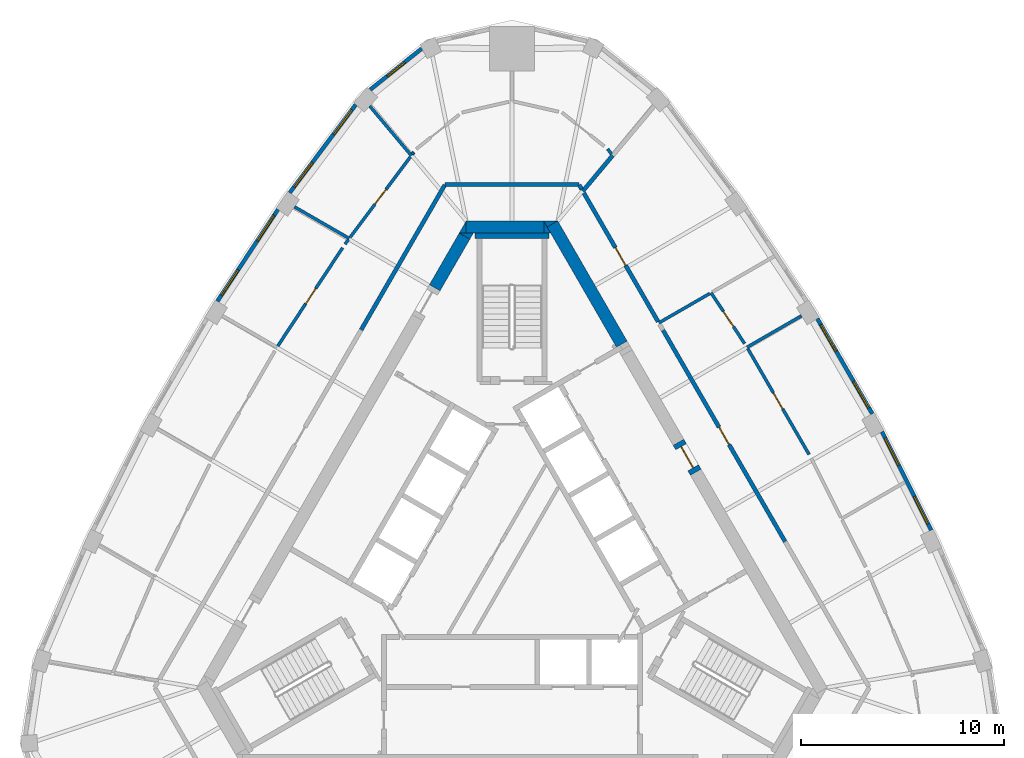
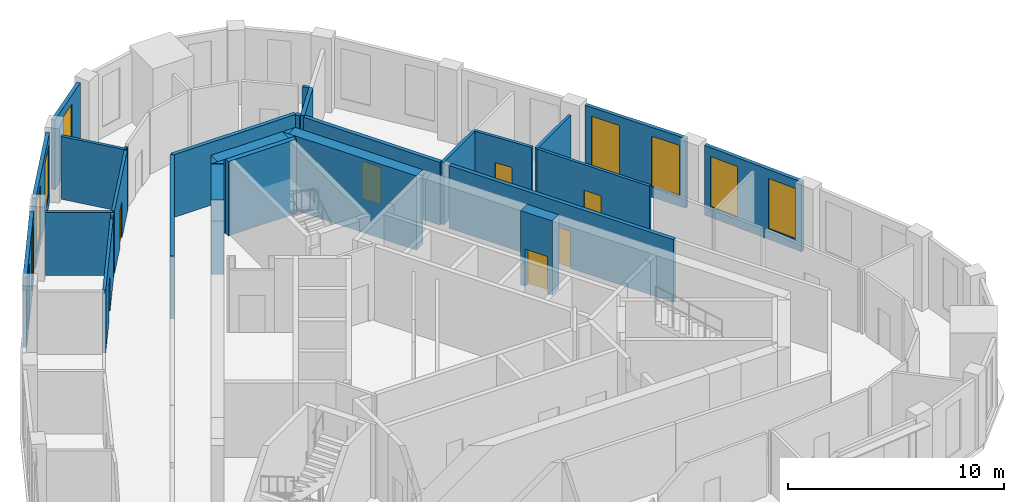
# One storey, part 8 of 10: 31 walls, 9 windows, 7 doors, 16 openings.
"""IFC4 building model written with IfcOpenShell, lengths in metres."""

from ifc_helpers import new_model, si_unit, direction, frame, frame_2d, origin, place, context, subcontext, project, spatial, polyline, rectangle, outline, extrude, material, layer, layer_set, type_object, element, fill, save


model = new_model("IFC4")

# Units and contexts
model_context = context("Model", 3, precision=1e-05, world=origin(), true_north=direction((0.0, 1.0)))
body_context = subcontext(model_context, "Body", "Model", "MODEL_VIEW")
ifc_project = project(units=[si_unit("LENGTHUNIT", "METRE"), si_unit("AREAUNIT", "SQUARE_METRE"), si_unit("VOLUMEUNIT", "CUBIC_METRE"), si_unit("PLANEANGLEUNIT", "RADIAN"), si_unit("MASSUNIT", "GRAM", prefix="KILO")], contexts=[model_context])

# Site, building, storey
site_placement = place(None, origin())
site = spatial("IfcSite", under=ifc_project, at=site_placement, CompositionType="ELEMENT")
building_placement = place(site_placement, origin())
building = spatial("IfcBuilding", under=site, at=building_placement, Name="Mestral Congress Tower", CompositionType="ELEMENT")
storey_placement = place(building_placement, frame((0.0, 0.0, 296.39990234375)))
storey = spatial("IfcBuildingStorey", under=building, at=storey_placement, Name="L69", CompositionType="ELEMENT", Elevation=296.39990234375)

# Walls
ifc_material_1 = material(Name="Concrete C60/75", Category="concrete")
ifc_layer_1 = layer(ifc_material_1, 0.60009765625)
ifc_layer_set_1 = layer_set([ifc_layer_1], Name="Concrete C60/75")
wall_type_1 = type_object("IfcWallType", Name="Core wall RC 600", PredefinedType="SOLIDWALL", material=ifc_layer_set_1)
wall_1_placement = place(storey_placement, frame((1.98876953125, 16.45556640625, 0.0), z_axis=(0.0, 0.0, 1.0), x_axis=(0.499973159588, -0.866040899549, 0.0)))
element("IfcWall", 1, at=wall_1_placement, inside=storey, type_object=wall_type_1, Name="L69 core wall", PredefinedType="SOLIDWALL", context=body_context, shape_type="SweptSolid", body=[
    extrude(rectangle(XDim=6.828125, YDim=0.60009765625, at=frame_2d((3.4140625, 0.0))), origin(), (0.0, 0.0, 1.0), 4.2001953125),
])
placement = place(storey_placement, origin())
element("IfcWall", 2, at=placement, inside=storey, type_object=wall_type_1, Name="L69 core wall", PredefinedType="SOLIDWALL", context=body_context, shape_type="SweptSolid", body=[
    extrude(outline(polyline([(1.558837890625, 16.60009765625), (2.23486328125, 16.60009765625), (1.727783203125, 16.307373046875), (1.558837890625, 16.60009765625)])), origin(), (0.0, 0.0, 1.0), 4.2001953125),
])
wall_3_placement = place(storey_placement, frame((-2.258056640625, 16.300048828125, 0.0), z_axis=(0.0, 0.0, 1.0), x_axis=(1.0, 0.0, 0.0)))
element("IfcWall", 3, at=wall_3_placement, inside=storey, type_object=wall_type_1, Name="L69 core wall", PredefinedType="SOLIDWALL", context=body_context, shape_type="SweptSolid", body=[
    extrude(rectangle(XDim=3.8232421875, YDim=0.60009765625, at=frame_2d((1.91162109375, 0.0))), origin(), (0.0, 0.0, 1.0), 4.2001953125),
])
element("IfcWall", 4, at=placement, inside=storey, type_object=wall_type_1, Name="L69 core wall", PredefinedType="SOLIDWALL", context=body_context, shape_type="SweptSolid", body=[
    extrude(outline(polyline([(1.9052734375, 16.0), (1.5673828125, 16.0), (1.5673828125, 16.58544921875), (1.9052734375, 16.0)])), origin(), (0.0, 0.0, 1.0), 4.2001953125),
])
element("IfcWall", 5, at=placement, inside=storey, type_object=wall_type_1, Name="L69 core wall", PredefinedType="SOLIDWALL", context=body_context, shape_type="SweptSolid", body=[
    extrude(outline(polyline([(-2.59814453125, 16.0), (-2.260009765625, 16.58544921875), (-2.260009765625, 16.0), (-2.59814453125, 16.0)])), origin(), (0.0, 0.0, 1.0), 4.2001953125),
])
wall_6_placement = place(storey_placement, frame((-2.335205078125, 15.85546875, 0.0), z_axis=(0.0, 0.0, 1.0), x_axis=(-0.499960127962, -0.866048422692, 0.0)))
element("IfcWall", 6, at=wall_6_placement, inside=storey, type_object=wall_type_1, Name="L69 core wall", PredefinedType="SOLIDWALL", context=body_context, shape_type="SweptSolid", body=[
    extrude(rectangle(XDim=2.934326171875, YDim=0.60009765625, at=frame_2d((1.46728515625, 0.0))), origin(), (0.0, 0.0, 1.0), 4.2001953125),
])
element("IfcWall", 7, at=placement, inside=storey, type_object=wall_type_1, Name="L69 core wall", PredefinedType="SOLIDWALL", context=body_context, shape_type="SweptSolid", body=[
    extrude(outline(polyline([(-1.9052734375, 16.0), (-2.07421875, 15.707275390625), (-2.581298828125, 16.0), (-1.9052734375, 16.0)])), origin(), (0.0, 0.0, 1.0), 4.2001953125),
])

# Wall, opening, door
wall_8_placement = place(storey_placement, frame((8.19189453125, 5.711181640625, 0.0), z_axis=(0.0, 0.0, 1.0), x_axis=(0.500062241894, -0.865989465428, 0.0)))
wall_8 = element("IfcWall", 8, at=wall_8_placement, inside=storey, type_object=wall_type_1, Name="L69 door wall", PredefinedType="SOLIDWALL", context=body_context, shape_type="SweptSolid", body=[
    extrude(rectangle(XDim=1.699951171875, YDim=0.60009765625, at=frame_2d((0.85009765625, 0.0))), origin(), (0.0, 0.0, 1.0), 4.2001953125),
])
opening_1_placement = place(wall_8_placement, frame((0.25, 0.0, 0.0)))
opening_1 = element("IfcOpeningElement", 9, at=opening_1_placement, cuts=wall_8, Name="Opening XDL", PredefinedType="OPENING", context=body_context, shape_type="SweptSolid", body=[
    extrude(rectangle(XDim=1.199951171875, YDim=2.10009765625, at=frame_2d((0.60009765625, 1.050048828125))), frame((0.0, 0.31005859375, 0.0), z_axis=(0.0, -1.0, 0.0), x_axis=(1.0, 0.0, 0.0)), (0.0, 0.0, 1.0), 0.6201171875),
])
ifc_material_2 = material(Name="Fire-rated steel door set", Category="steel")
door_type_1 = type_object("IfcDoorType", Name="Core door XD 1200x2100", OperationType="SINGLE_SWING_LEFT", PredefinedType="DOOR", material=ifc_material_2)
door_1_placement = place(opening_1_placement, origin())
door_1 = element("IfcDoor", 10, at=door_1_placement, inside=storey, type_object=door_type_1, Name="Door XDL", OperationType="SINGLE_SWING_LEFT", OverallHeight=2.10009765625, OverallWidth=1.199951171875, PredefinedType="DOOR", context=body_context, shape_type="SweptSolid", body=[
    extrude(rectangle(XDim=1.199951171875, YDim=2.10009765625, at=frame_2d((0.60009765625, 1.050048828125))), frame((0.0, 0.02490234375, 0.0), z_axis=(0.0, -1.0, 0.0), x_axis=(1.0, 0.0, 0.0)), (0.0, 0.0, 1.0), 0.050048828125),
])
fill(opening_1, door_1)

# Wall, openings, windows
ifc_material_3 = material(Name="Precast concrete C40/50 with limestone facing", Category="masonry")
ifc_layer_2 = layer(ifc_material_3, 0.18994140625)
ifc_layer_set_2 = layer_set([ifc_layer_2], Name="Precast concrete C40/50 with limestone facing")
wall_type_2 = type_object("IfcWallType", Name="Facade stone wall 190", PredefinedType="SOLIDWALL", material=ifc_layer_set_2)
wall_9_placement = place(storey_placement, frame((20.625, 1.39208984375, 0.0), z_axis=(0.0, 0.0, 1.0), x_axis=(-0.447484531401, 0.894291671747, 0.0)))
wall_9 = element("IfcWall", 11, at=wall_9_placement, inside=storey, type_object=wall_type_2, Name="Facade wall F1-01", PredefinedType="SOLIDWALL", context=body_context, shape_type="SweptSolid", body=[
    extrude(rectangle(XDim=5.40625, YDim=0.18994140625, at=frame_2d((2.703125, 0.0))), origin(), (0.0, 0.0, 1.0), 3.9501953125),
])
opening_2_placement = place(wall_9_placement, frame((0.346435546875, 0.0, 0.60009765625)))
opening_2 = element("IfcOpeningElement", 12, at=opening_2_placement, cuts=wall_9, Name="Opening W6", PredefinedType="OPENING", context=body_context, shape_type="SweptSolid", body=[
    extrude(rectangle(XDim=1.5, YDim=2.85009765625, at=frame_2d((0.75, 1.425048828125))), frame((0.0, 0.10498046875, 0.0), z_axis=(0.0, -1.0, 0.0), x_axis=(1.0, 0.0, 0.0)), (0.0, 0.0, 1.0), 0.2099609375),
])
opening_3_placement = place(wall_9_placement, frame((3.559326171875, 0.0, 0.60009765625)))
opening_3 = element("IfcOpeningElement", 13, at=opening_3_placement, cuts=wall_9, Name="Opening W6", PredefinedType="OPENING", context=body_context, shape_type="SweptSolid", body=[
    extrude(rectangle(XDim=1.5, YDim=2.85009765625, at=frame_2d((0.75, 1.425048828125))), frame((0.0, 0.10498046875, 0.0), z_axis=(0.0, -1.0, 0.0), x_axis=(1.0, 0.0, 0.0)), (0.0, 0.0, 1.0), 0.2099609375),
])
ifc_material_4 = material(Name="Clear low-emissivity double glazing", Category="glass")
window_type_1 = type_object("IfcWindowType", Name="Facade punched window 1500 x 2850 sill 600", PartitioningType="SINGLE_PANEL", PredefinedType="WINDOW", material=ifc_material_4)
window_1_placement = place(opening_2_placement, origin())
window_1 = element("IfcWindow", 14, at=window_1_placement, inside=storey, type_object=window_type_1, Name="Window F1-01a", OverallHeight=2.85009765625, OverallWidth=1.5, PartitioningType="SINGLE_PANEL", PredefinedType="WINDOW", context=body_context, shape_type="SweptSolid", body=[
    extrude(rectangle(XDim=1.5, YDim=2.85009765625, at=frame_2d((0.75, 1.425048828125))), frame((0.0, 0.044921875, 0.0), z_axis=(0.0, -1.0, 0.0), x_axis=(1.0, 0.0, 0.0)), (0.0, 0.0, 1.0), 0.06005859375),
])
fill(opening_2, window_1)
window_2_placement = place(opening_3_placement, origin())
window_2 = element("IfcWindow", 15, at=window_2_placement, inside=storey, type_object=window_type_1, Name="Window F1-01b", OverallHeight=2.85009765625, OverallWidth=1.5, PartitioningType="SINGLE_PANEL", PredefinedType="WINDOW", context=body_context, shape_type="SweptSolid", body=[
    extrude(rectangle(XDim=1.5, YDim=2.85009765625, at=frame_2d((0.75, 1.425048828125))), frame((0.0, 0.044921875, 0.0), z_axis=(0.0, -1.0, 0.0), x_axis=(1.0, 0.0, 0.0)), (0.0, 0.0, 1.0), 0.06005859375),
])
fill(opening_3, window_2)

wall_10_placement = place(storey_placement, frame((17.728271484375, 7.1142578125, 0.0), z_axis=(0.0, 0.0, 1.0), x_axis=(-0.500024767483, 0.866011103799, 0.0)))
wall_10 = element("IfcWall", 16, at=wall_10_placement, inside=storey, type_object=wall_type_2, Name="Facade wall F1-02", PredefinedType="SOLIDWALL", context=body_context, shape_type="SweptSolid", body=[
    extrude(rectangle(XDim=5.406005859375, YDim=0.18994140625, at=frame_2d((2.703125, 0.0))), origin(), (0.0, 0.0, 1.0), 3.9501953125),
])
opening_4_placement = place(wall_10_placement, frame((0.346435546875, 0.0, 0.60009765625)))
opening_4 = element("IfcOpeningElement", 17, at=opening_4_placement, cuts=wall_10, Name="Opening W6", PredefinedType="OPENING", context=body_context, shape_type="SweptSolid", body=[
    extrude(rectangle(XDim=1.5, YDim=2.85009765625, at=frame_2d((0.75, 1.425048828125))), frame((0.0, 0.10498046875, 0.0), z_axis=(0.0, -1.0, 0.0), x_axis=(1.0, 0.0, 0.0)), (0.0, 0.0, 1.0), 0.2099609375),
])
opening_5_placement = place(wall_10_placement, frame((3.5595703125, 0.0, 0.60009765625)))
opening_5 = element("IfcOpeningElement", 18, at=opening_5_placement, cuts=wall_10, Name="Opening W6", PredefinedType="OPENING", context=body_context, shape_type="SweptSolid", body=[
    extrude(rectangle(XDim=1.5, YDim=2.85009765625, at=frame_2d((0.75, 1.425048828125))), frame((0.0, 0.10498046875, 0.0), z_axis=(0.0, -1.0, 0.0), x_axis=(1.0, 0.0, 0.0)), (0.0, 0.0, 1.0), 0.2099609375),
])
window_3_placement = place(opening_4_placement, origin())
window_3 = element("IfcWindow", 19, at=window_3_placement, inside=storey, type_object=window_type_1, Name="Window F1-02a", OverallHeight=2.85009765625, OverallWidth=1.5, PartitioningType="SINGLE_PANEL", PredefinedType="WINDOW", context=body_context, shape_type="SweptSolid", body=[
    extrude(rectangle(XDim=1.5, YDim=2.85009765625, at=frame_2d((0.75, 1.425048828125))), frame((0.0, 0.044921875, 0.0), z_axis=(0.0, -1.0, 0.0), x_axis=(1.0, 0.0, 0.0)), (0.0, 0.0, 1.0), 0.06005859375),
])
fill(opening_4, window_3)
window_4_placement = place(opening_5_placement, origin())
window_4 = element("IfcWindow", 20, at=window_4_placement, inside=storey, type_object=window_type_1, Name="Window F1-02b", OverallHeight=2.85009765625, OverallWidth=1.5, PartitioningType="SINGLE_PANEL", PredefinedType="WINDOW", context=body_context, shape_type="SweptSolid", body=[
    extrude(rectangle(XDim=1.5, YDim=2.85009765625, at=frame_2d((0.75, 1.425048828125))), frame((0.0, 0.044921875, 0.0), z_axis=(0.0, -1.0, 0.0), x_axis=(1.0, 0.0, 0.0)), (0.0, 0.0, 1.0), 0.06005859375),
])
fill(opening_5, window_4)

# Wall, opening, window
wall_11_placement = place(storey_placement, frame((-4.447509765625, 25.080078125, 0.0), z_axis=(0.0, 0.0, 1.0), x_axis=(-0.781626234064, -0.623747088349, 0.0)))
wall_11 = element("IfcWall", 21, at=wall_11_placement, inside=storey, type_object=wall_type_2, Name="Facade wall K1-3", PredefinedType="SOLIDWALL", context=body_context, shape_type="SweptSolid", body=[
    extrude(rectangle(XDim=3.236572265625, YDim=0.18994140625, at=frame_2d((1.6181640625, 0.0))), origin(), (0.0, 0.0, 1.0), 3.9501953125),
])
opening_6_placement = place(wall_11_placement, frame((1.068359375, 0.0, 0.60009765625)))
opening_6 = element("IfcOpeningElement", 22, at=opening_6_placement, cuts=wall_11, Name="Opening W7", PredefinedType="OPENING", context=body_context, shape_type="SweptSolid", body=[
    extrude(rectangle(XDim=1.10009765625, YDim=2.85009765625, at=frame_2d((0.550048828125, 1.425048828125))), frame((0.0, 0.10498046875, 0.0), z_axis=(0.0, -1.0, 0.0), x_axis=(1.0, 0.0, 0.0)), (0.0, 0.0, 1.0), 0.2099609375),
])
window_type_2 = type_object("IfcWindowType", Name="Facade punched window 1100 x 2850 sill 600", PartitioningType="SINGLE_PANEL", PredefinedType="WINDOW", material=ifc_material_4)
window_5_placement = place(opening_6_placement, origin())
window_5 = element("IfcWindow", 23, at=window_5_placement, inside=storey, type_object=window_type_2, Name="Window K1-3", OverallHeight=2.85009765625, OverallWidth=1.10009765625, PartitioningType="SINGLE_PANEL", PredefinedType="WINDOW", context=body_context, shape_type="SweptSolid", body=[
    extrude(rectangle(XDim=1.10009765625, YDim=2.85009765625, at=frame_2d((0.550048828125, 1.425048828125))), frame((0.0, 0.044921875, 0.0), z_axis=(0.0, -1.0, 0.0), x_axis=(1.0, 0.0, 0.0)), (0.0, 0.0, 1.0), 0.06005859375),
])
fill(opening_6, window_5)

# Wall, openings, windows
wall_12_placement = place(storey_placement, frame((-7.691650390625, 22.32373046875, 0.0), z_axis=(0.0, 0.0, 1.0), x_axis=(-0.599559865294, -0.800329911929, 0.0)))
wall_12 = element("IfcWall", 24, at=wall_12_placement, inside=storey, type_object=wall_type_2, Name="Facade wall F2-00", PredefinedType="SOLIDWALL", context=body_context, shape_type="SweptSolid", body=[
    extrude(rectangle(XDim=5.4150390625, YDim=0.18994140625, at=frame_2d((2.70751953125, 0.0))), origin(), (0.0, 0.0, 1.0), 3.9501953125),
])
opening_7_placement = place(wall_12_placement, frame((0.322509765625, 0.0, 0.60009765625)))
opening_7 = element("IfcOpeningElement", 25, at=opening_7_placement, cuts=wall_12, Name="Opening W6", PredefinedType="OPENING", context=body_context, shape_type="SweptSolid", body=[
    extrude(rectangle(XDim=1.5, YDim=2.85009765625, at=frame_2d((0.75, 1.425048828125))), frame((0.0, 0.10498046875, 0.0), z_axis=(0.0, -1.0, 0.0), x_axis=(1.0, 0.0, 0.0)), (0.0, 0.0, 1.0), 0.2099609375),
])
opening_8_placement = place(wall_12_placement, frame((3.5576171875, 0.0, 0.60009765625)))
opening_8 = element("IfcOpeningElement", 26, at=opening_8_placement, cuts=wall_12, Name="Opening W6", PredefinedType="OPENING", context=body_context, shape_type="SweptSolid", body=[
    extrude(rectangle(XDim=1.5, YDim=2.85009765625, at=frame_2d((0.75, 1.425048828125))), frame((0.0, 0.10498046875, 0.0), z_axis=(0.0, -1.0, 0.0), x_axis=(1.0, 0.0, 0.0)), (0.0, 0.0, 1.0), 0.2099609375),
])
window_6_placement = place(opening_7_placement, origin())
window_6 = element("IfcWindow", 27, at=window_6_placement, inside=storey, type_object=window_type_1, Name="Window F2-00a", OverallHeight=2.85009765625, OverallWidth=1.5, PartitioningType="SINGLE_PANEL", PredefinedType="WINDOW", context=body_context, shape_type="SweptSolid", body=[
    extrude(rectangle(XDim=1.5, YDim=2.85009765625, at=frame_2d((0.75, 1.425048828125))), frame((0.0, 0.044921875, 0.0), z_axis=(0.0, -1.0, 0.0), x_axis=(1.0, 0.0, 0.0)), (0.0, 0.0, 1.0), 0.06005859375),
])
fill(opening_7, window_6)
window_7_placement = place(opening_8_placement, origin())
window_7 = element("IfcWindow", 28, at=window_7_placement, inside=storey, type_object=window_type_1, Name="Window F2-00b", OverallHeight=2.85009765625, OverallWidth=1.5, PartitioningType="SINGLE_PANEL", PredefinedType="WINDOW", context=body_context, shape_type="SweptSolid", body=[
    extrude(rectangle(XDim=1.5, YDim=2.85009765625, at=frame_2d((0.75, 1.425048828125))), frame((0.0, 0.044921875, 0.0), z_axis=(0.0, -1.0, 0.0), x_axis=(1.0, 0.0, 0.0)), (0.0, 0.0, 1.0), 0.06005859375),
])
fill(opening_8, window_7)

wall_13_placement = place(storey_placement, frame((-11.518310546875, 17.16552734375, 0.0), z_axis=(0.0, 0.0, 1.0), x_axis=(-0.550744054781, -0.83467417962, 0.0)))
wall_13 = element("IfcWall", 29, at=wall_13_placement, inside=storey, type_object=wall_type_2, Name="Facade wall F2-01", PredefinedType="SOLIDWALL", context=body_context, shape_type="SweptSolid", body=[
    extrude(rectangle(XDim=5.406005859375, YDim=0.18994140625, at=frame_2d((2.703125, 0.0))), origin(), (0.0, 0.0, 1.0), 3.9501953125),
])
opening_9_placement = place(wall_13_placement, frame((0.346435546875, 0.0, 0.60009765625)))
opening_9 = element("IfcOpeningElement", 30, at=opening_9_placement, cuts=wall_13, Name="Opening W6", PredefinedType="OPENING", context=body_context, shape_type="SweptSolid", body=[
    extrude(rectangle(XDim=1.5, YDim=2.85009765625, at=frame_2d((0.75, 1.425048828125))), frame((0.0, 0.10498046875, 0.0), z_axis=(0.0, -1.0, 0.0), x_axis=(1.0, 0.0, 0.0)), (0.0, 0.0, 1.0), 0.2099609375),
])
opening_10_placement = place(wall_13_placement, frame((3.559326171875, 0.0, 0.60009765625)))
opening_10 = element("IfcOpeningElement", 31, at=opening_10_placement, cuts=wall_13, Name="Opening W6", PredefinedType="OPENING", context=body_context, shape_type="SweptSolid", body=[
    extrude(rectangle(XDim=1.5, YDim=2.85009765625, at=frame_2d((0.75, 1.425048828125))), frame((0.0, 0.10498046875, 0.0), z_axis=(0.0, -1.0, 0.0), x_axis=(1.0, 0.0, 0.0)), (0.0, 0.0, 1.0), 0.2099609375),
])
window_8_placement = place(opening_9_placement, origin())
window_8 = element("IfcWindow", 32, at=window_8_placement, inside=storey, type_object=window_type_1, Name="Window F2-01a", OverallHeight=2.85009765625, OverallWidth=1.5, PartitioningType="SINGLE_PANEL", PredefinedType="WINDOW", context=body_context, shape_type="SweptSolid", body=[
    extrude(rectangle(XDim=1.5, YDim=2.85009765625, at=frame_2d((0.75, 1.425048828125))), frame((0.0, 0.044921875, 0.0), z_axis=(0.0, -1.0, 0.0), x_axis=(1.0, 0.0, 0.0)), (0.0, 0.0, 1.0), 0.06005859375),
])
fill(opening_9, window_8)
window_9_placement = place(opening_10_placement, origin())
window_9 = element("IfcWindow", 33, at=window_9_placement, inside=storey, type_object=window_type_1, Name="Window F2-01b", OverallHeight=2.85009765625, OverallWidth=1.5, PartitioningType="SINGLE_PANEL", PredefinedType="WINDOW", context=body_context, shape_type="SweptSolid", body=[
    extrude(rectangle(XDim=1.5, YDim=2.85009765625, at=frame_2d((0.75, 1.425048828125))), frame((0.0, 0.044921875, 0.0), z_axis=(0.0, -1.0, 0.0), x_axis=(1.0, 0.0, 0.0)), (0.0, 0.0, 1.0), 0.06005859375),
])
fill(opening_10, window_9)

# Wall
ifc_material_5 = material(Name="Plasterboard partition on steel studs", Category="steel")
ifc_layer_3 = layer(ifc_material_5, 0.14990234375)
ifc_layer_set_3 = layer_set([ifc_layer_3], Name="Plasterboard partition on steel studs")
wall_type_3 = type_object("IfcWallType", Name="Office partition 150", PredefinedType="PARTITIONING", material=ifc_layer_set_3)
wall_14_placement = place(storey_placement, frame((11.564208984375, 10.38671875, 0.0), z_axis=(0.0, 0.0, 1.0), x_axis=(0.86604641216, 0.499963610661, 0.0)))
element("IfcWall", 34, at=wall_14_placement, inside=storey, type_object=wall_type_3, Name="Partition", PredefinedType="PARTITIONING", context=body_context, shape_type="SweptSolid", body=[
    extrude(rectangle(XDim=3.096435546875, YDim=0.14990234375, at=frame_2d((1.54833984375, 0.0))), origin(), (0.0, 0.0, 1.0), 3.550048828125),
])

# Wall, opening, door
wall_15_placement = place(storey_placement, frame((11.601806640625, 10.32177734375, 0.0), z_axis=(0.0, 0.0, 1.0), x_axis=(0.500961140821, -0.865469777281, 0.0)))
wall_15 = element("IfcWall", 35, at=wall_15_placement, inside=storey, type_object=wall_type_3, Name="Partition", PredefinedType="PARTITIONING", context=body_context, shape_type="SweptSolid", body=[
    extrude(rectangle(XDim=6.020751953125, YDim=0.14990234375, at=frame_2d((3.01025390625, 0.0))), origin(), (0.0, 0.0, 1.0), 3.550048828125),
])
opening_11_placement = place(wall_15_placement, frame((2.5205078125, 0.0, 0.0)))
opening_11 = element("IfcOpeningElement", 36, at=opening_11_placement, cuts=wall_15, Name="Opening O13-006", PredefinedType="OPENING", context=body_context, shape_type="SweptSolid", body=[
    extrude(rectangle(XDim=0.89990234375, YDim=2.10009765625, at=frame_2d((0.449951171875, 1.050048828125))), frame((0.0, 0.0849609375, 0.0), z_axis=(0.0, -1.0, 0.0), x_axis=(1.0, 0.0, 0.0)), (0.0, 0.0, 1.0), 0.169921875),
])
ifc_material_6 = material(Name="Timber door set", Category="wood")
door_type_2 = type_object("IfcDoorType", Name="Office door 900x2100", OperationType="SINGLE_SWING_LEFT", PredefinedType="DOOR", material=ifc_material_6)
door_2_placement = place(opening_11_placement, origin())
door_2 = element("IfcDoor", 37, at=door_2_placement, inside=storey, type_object=door_type_2, Name="Door O13-006", OperationType="SINGLE_SWING_LEFT", OverallHeight=2.10009765625, OverallWidth=0.89990234375, PredefinedType="DOOR", context=body_context, shape_type="SweptSolid", body=[
    extrude(rectangle(XDim=0.89990234375, YDim=2.10009765625, at=frame_2d((0.449951171875, 1.050048828125))), frame((0.0, 0.02490234375, 0.0), z_axis=(0.0, -1.0, 0.0), x_axis=(1.0, 0.0, 0.0)), (0.0, 0.0, 1.0), 0.050048828125),
])
fill(opening_11, door_2)

wall_16_placement = place(storey_placement, frame((9.794677734375, 13.068359375, 0.0), z_axis=(0.0, 0.0, 1.0), x_axis=(0.550767347659, -0.834658809786, 0.0)))
wall_16 = element("IfcWall", 38, at=wall_16_placement, inside=storey, type_object=wall_type_3, Name="Partition", PredefinedType="PARTITIONING", context=body_context, shape_type="SweptSolid", body=[
    extrude(rectangle(XDim=2.998779296875, YDim=0.14990234375, at=frame_2d((1.49951171875, 0.0))), origin(), (0.0, 0.0, 1.0), 3.550048828125),
])
opening_12_placement = place(wall_16_placement, frame((1.0986328125, 0.0, 0.0)))
opening_12 = element("IfcOpeningElement", 39, at=opening_12_placement, cuts=wall_16, Name="Opening O13-007", PredefinedType="OPENING", context=body_context, shape_type="SweptSolid", body=[
    extrude(rectangle(XDim=0.89990234375, YDim=2.10009765625, at=frame_2d((0.449951171875, 1.050048828125))), frame((0.0, 0.0849609375, 0.0), z_axis=(0.0, -1.0, 0.0), x_axis=(1.0, 0.0, 0.0)), (0.0, 0.0, 1.0), 0.169921875),
])
door_3_placement = place(opening_12_placement, origin())
door_3 = element("IfcDoor", 40, at=door_3_placement, inside=storey, type_object=door_type_2, Name="Door O13-007", OperationType="SINGLE_SWING_RIGHT", OverallHeight=2.10009765625, OverallWidth=0.89990234375, PredefinedType="DOOR", context=body_context, shape_type="SweptSolid", body=[
    extrude(rectangle(XDim=0.89990234375, YDim=2.10009765625, at=frame_2d((0.449951171875, 1.050048828125))), frame((0.0, 0.02490234375, 0.0), z_axis=(0.0, -1.0, 0.0), x_axis=(1.0, 0.0, 0.0)), (0.0, 0.0, 1.0), 0.050048828125),
])
fill(opening_12, door_3)

# Walls
wall_17_placement = place(storey_placement, frame((7.2255859375, 11.585205078125, 0.0), z_axis=(0.0, 0.0, 1.0), x_axis=(0.866021079084, 0.500007490527, 0.0)))
element("IfcWall", 41, at=wall_17_placement, inside=storey, type_object=wall_type_3, Name="Partition", PredefinedType="PARTITIONING", context=body_context, shape_type="SweptSolid", body=[
    extrude(rectangle(XDim=2.8916015625, YDim=0.14990234375, at=frame_2d((1.44580078125, 0.0))), origin(), (0.0, 0.0, 1.0), 3.550048828125),
])
wall_18_placement = place(storey_placement, frame((4.89111328125, 19.8994140625, 0.0), z_axis=(0.0, 0.0, 1.0), x_axis=(-0.6, 0.8, 0.0)))
element("IfcWall", 42, at=wall_18_placement, inside=storey, type_object=wall_type_3, Name="Partition", PredefinedType="PARTITIONING", context=body_context, shape_type="SweptSolid", body=[
    extrude(rectangle(XDim=0.308837890625, YDim=0.14990234375, at=frame_2d((0.154296875, 0.0))), origin(), (0.0, 0.0, 1.0), 3.550048828125),
])
wall_19_placement = place(storey_placement, frame((-4.952392578125, 19.8173828125, 0.0), z_axis=(0.0, 0.0, 1.0), x_axis=(-0.643023053688, 0.765846820471, 0.0)))
element("IfcWall", 43, at=wall_19_placement, inside=storey, type_object=wall_type_3, Name="Partition", PredefinedType="PARTITIONING", context=body_context, shape_type="SweptSolid", body=[
    extrude(rectangle(XDim=3.184326171875, YDim=0.14990234375, at=frame_2d((1.59228515625, 0.0))), origin(), (0.0, 0.0, 1.0), 3.550048828125),
])
wall_20_placement = place(storey_placement, frame((-4.83447265625, 19.97509765625, 0.0), z_axis=(0.0, 0.0, 1.0), x_axis=(-0.599349659863, -0.800487342325, 0.0)))
element("IfcWall", 44, at=wall_20_placement, inside=storey, type_object=wall_type_3, Name="Partition", PredefinedType="PARTITIONING", context=body_context, shape_type="SweptSolid", body=[
    extrude(rectangle(XDim=0.1201171875, YDim=0.14990234375, at=frame_2d((0.06005859375, 0.0))), origin(), (0.0, 0.0, 1.0), 3.550048828125),
])
wall_21_placement = place(storey_placement, frame((-8.007080078125, 15.73974609375, 0.0), z_axis=(0.0, 0.0, 1.0), x_axis=(-0.866044607523, 0.499966736674, 0.0)))
element("IfcWall", 45, at=wall_21_placement, inside=storey, type_object=wall_type_3, Name="Partition", PredefinedType="PARTITIONING", context=body_context, shape_type="SweptSolid", body=[
    extrude(rectangle(XDim=3.114501953125, YDim=0.14990234375, at=frame_2d((1.55712890625, 0.0))), origin(), (0.0, 0.0, 1.0), 3.550048828125),
])

# Wall, opening, door
wall_22_placement = place(storey_placement, frame((-7.9619140625, 15.800048828125, 0.0), z_axis=(0.0, 0.0, 1.0), x_axis=(0.599541489613, 0.800343677574, 0.0)))
wall_22 = element("IfcWall", 46, at=wall_22_placement, inside=storey, type_object=wall_type_3, Name="Partition", PredefinedType="PARTITIONING", context=body_context, shape_type="SweptSolid", body=[
    extrude(rectangle(XDim=4.9423828125, YDim=0.14990234375, at=frame_2d((2.47119140625, 0.0))), origin(), (0.0, 0.0, 1.0), 3.550048828125),
])
opening_13_placement = place(wall_22_placement, frame((2.042236328125, 0.0, 0.0)))
opening_13 = element("IfcOpeningElement", 47, at=opening_13_placement, cuts=wall_22, Name="Opening O13-012", PredefinedType="OPENING", context=body_context, shape_type="SweptSolid", body=[
    extrude(rectangle(XDim=0.89990234375, YDim=2.10009765625, at=frame_2d((0.449951171875, 1.050048828125))), frame((0.0, 0.0849609375, 0.0), z_axis=(0.0, -1.0, 0.0), x_axis=(1.0, 0.0, 0.0)), (0.0, 0.0, 1.0), 0.169921875),
])
door_4_placement = place(opening_13_placement, origin())
door_4 = element("IfcDoor", 48, at=door_4_placement, inside=storey, type_object=door_type_2, Name="Door O13-012", OperationType="SINGLE_SWING_RIGHT", OverallHeight=2.10009765625, OverallWidth=0.89990234375, PredefinedType="DOOR", context=body_context, shape_type="SweptSolid", body=[
    extrude(rectangle(XDim=0.89990234375, YDim=2.10009765625, at=frame_2d((0.449951171875, 1.050048828125))), frame((0.0, 0.02490234375, 0.0), z_axis=(0.0, -1.0, 0.0), x_axis=(1.0, 0.0, 0.0)), (0.0, 0.0, 1.0), 0.050048828125),
])
fill(opening_13, door_4)

# Wall
wall_23_placement = place(storey_placement, frame((-8.052490234375, 15.67919921875, 0.0), z_axis=(0.0, 0.0, 1.0), x_axis=(-0.599004157744, -0.800745914136, 0.0)))
element("IfcWall", 49, at=wall_23_placement, inside=storey, type_object=wall_type_3, Name="Partition", PredefinedType="PARTITIONING", context=body_context, shape_type="SweptSolid", body=[
    extrude(rectangle(XDim=0.274658203125, YDim=0.14990234375, at=frame_2d((0.13720703125, 0.0))), origin(), (0.0, 0.0, 1.0), 3.550048828125),
])

# Wall, opening, door
wall_24_placement = place(storey_placement, frame((-11.52294921875, 10.449462890625, 0.0), z_axis=(0.0, 0.0, 1.0), x_axis=(0.550751709023, 0.834669129061, 0.0)))
wall_24 = element("IfcWall", 50, at=wall_24_placement, inside=storey, type_object=wall_type_3, Name="Partition", PredefinedType="PARTITIONING", context=body_context, shape_type="SweptSolid", body=[
    extrude(rectangle(XDim=5.7880859375, YDim=0.14990234375, at=frame_2d((2.89404296875, 0.0))), origin(), (0.0, 0.0, 1.0), 3.550048828125),
])
opening_14_placement = place(wall_24_placement, frame((2.488037109375, 0.0, 0.0)))
opening_14 = element("IfcOpeningElement", 51, at=opening_14_placement, cuts=wall_24, Name="Opening O13-013", PredefinedType="OPENING", context=body_context, shape_type="SweptSolid", body=[
    extrude(rectangle(XDim=0.89990234375, YDim=2.10009765625, at=frame_2d((0.449951171875, 1.050048828125))), frame((0.0, 0.0849609375, 0.0), z_axis=(0.0, -1.0, 0.0), x_axis=(1.0, 0.0, 0.0)), (0.0, 0.0, 1.0), 0.169921875),
])
door_5_placement = place(opening_14_placement, origin())
door_5 = element("IfcDoor", 52, at=door_5_placement, inside=storey, type_object=door_type_2, Name="Door O13-013", OperationType="SINGLE_SWING_RIGHT", OverallHeight=2.10009765625, OverallWidth=0.89990234375, PredefinedType="DOOR", context=body_context, shape_type="SweptSolid", body=[
    extrude(rectangle(XDim=0.89990234375, YDim=2.10009765625, at=frame_2d((0.449951171875, 1.050048828125))), frame((0.0, 0.02490234375, 0.0), z_axis=(0.0, -1.0, 0.0), x_axis=(1.0, 0.0, 0.0)), (0.0, 0.0, 1.0), 0.050048828125),
])
fill(opening_14, door_5)

ifc_material_7 = material(Name="Dense masonry wall, plastered", Category="masonry")
ifc_layer_4 = layer(ifc_material_7, 0.199951171875)
ifc_layer_set_4 = layer_set([ifc_layer_4], Name="Dense masonry wall, plastered")
wall_type_4 = type_object("IfcWallType", Name="Office tenancy wall 200", PredefinedType="PARTITIONING", material=ifc_layer_set_4)
wall_25_placement = place(storey_placement, frame((13.435546875, 0.828857421875, 0.0), z_axis=(0.0, 0.0, 1.0), x_axis=(-0.49999894854, 0.866026010844, 0.0)))
wall_25 = element("IfcWall", 53, at=wall_25_placement, inside=storey, type_object=wall_type_4, Name="Tenancy wall", PredefinedType="PARTITIONING", context=body_context, shape_type="SweptSolid", body=[
    extrude(rectangle(XDim=12.0, YDim=0.199951171875, at=frame_2d((6.0, 0.0))), origin(), (0.0, 0.0, 1.0), 3.550048828125),
])
opening_15_placement = place(wall_25_placement, frame((5.5, 0.0, 0.0)))
opening_15 = element("IfcOpeningElement", 54, at=opening_15_placement, cuts=wall_25, Name="Opening O13-008", PredefinedType="OPENING", context=body_context, shape_type="SweptSolid", body=[
    extrude(rectangle(XDim=1.0, YDim=2.10009765625, at=frame_2d((0.5, 1.050048828125))), frame((0.0, 0.10986328125, 0.0), z_axis=(0.0, -1.0, 0.0), x_axis=(1.0, 0.0, 0.0)), (0.0, 0.0, 1.0), 0.219970703125),
])
ifc_material_8 = material(Name="Fire-rated timber door set", Category="wood")
door_type_3 = type_object("IfcDoorType", Name="Office tenancy entrance door 1000x2100", OperationType="SINGLE_SWING_LEFT", PredefinedType="DOOR", material=ifc_material_8)
door_6_placement = place(opening_15_placement, origin())
door_6 = element("IfcDoor", 55, at=door_6_placement, inside=storey, type_object=door_type_3, Name="Door O13-008", OperationType="SINGLE_SWING_RIGHT", OverallHeight=2.10009765625, OverallWidth=1.0, PredefinedType="DOOR", context=body_context, shape_type="SweptSolid", body=[
    extrude(rectangle(XDim=1.0, YDim=2.10009765625, at=frame_2d((0.5, 1.050048828125))), frame((0.0, 0.02490234375, 0.0), z_axis=(0.0, -1.0, 0.0), x_axis=(1.0, 0.0, 0.0)), (0.0, 0.0, 1.0), 0.050048828125),
])
fill(opening_15, door_6)

# Wall
wall_26_placement = place(storey_placement, frame((3.483154296875, 18.06689453125, 0.0), z_axis=(0.0, 0.0, 1.0), x_axis=(0.642896944312, 0.765952687177, 0.0)))
element("IfcWall", 56, at=wall_26_placement, inside=storey, type_object=wall_type_4, Name="Tenancy wall", PredefinedType="PARTITIONING", context=body_context, shape_type="SweptSolid", body=[
    extrude(rectangle(XDim=2.28955078125, YDim=0.199951171875, at=frame_2d((1.144775390625, 0.0))), origin(), (0.0, 0.0, 1.0), 3.550048828125),
])

# Wall, opening, door
wall_27_placement = place(storey_placement, frame((7.18798828125, 11.64990234375, 0.0), z_axis=(0.0, 0.0, 1.0), x_axis=(-0.499989634868, 0.866031388014, 0.0)))
wall_27 = element("IfcWall", 57, at=wall_27_placement, inside=storey, type_object=wall_type_4, Name="Tenancy wall", PredefinedType="PARTITIONING", context=body_context, shape_type="SweptSolid", body=[
    extrude(rectangle(XDim=7.303466796875, YDim=0.199951171875, at=frame_2d((3.65185546875, 0.0))), origin(), (0.0, 0.0, 1.0), 3.550048828125),
])
opening_16_placement = place(wall_27_placement, frame((3.199951171875, 0.0, 0.0)))
opening_16 = element("IfcOpeningElement", 58, at=opening_16_placement, cuts=wall_27, Name="Opening O13-009", PredefinedType="OPENING", context=body_context, shape_type="SweptSolid", body=[
    extrude(rectangle(XDim=1.0, YDim=2.10009765625, at=frame_2d((0.5, 1.050048828125))), frame((0.0, 0.10986328125, 0.0), z_axis=(0.0, -1.0, 0.0), x_axis=(1.0, 0.0, 0.0)), (0.0, 0.0, 1.0), 0.219970703125),
])
door_7_placement = place(opening_16_placement, origin())
door_7 = element("IfcDoor", 59, at=door_7_placement, inside=storey, type_object=door_type_3, Name="Door O13-009", OperationType="SINGLE_SWING_RIGHT", OverallHeight=2.10009765625, OverallWidth=1.0, PredefinedType="DOOR", context=body_context, shape_type="SweptSolid", body=[
    extrude(rectangle(XDim=1.0, YDim=2.10009765625, at=frame_2d((0.5, 1.050048828125))), frame((0.0, 0.02490234375, 0.0), z_axis=(0.0, -1.0, 0.0), x_axis=(1.0, 0.0, 0.0)), (0.0, 0.0, 1.0), 0.050048828125),
])
fill(opening_16, door_7)

# Walls
wall_28_placement = place(storey_placement, frame((3.291015625, 18.39990234375, 0.0), z_axis=(0.0, 0.0, 1.0), x_axis=(-1.0, 0.0, 0.0)))
element("IfcWall", 60, at=wall_28_placement, inside=storey, type_object=wall_type_4, Name="Tenancy wall", PredefinedType="PARTITIONING", context=body_context, shape_type="SweptSolid", body=[
    extrude(rectangle(XDim=6.58203125, YDim=0.199951171875, at=frame_2d((3.291015625, 0.0))), origin(), (0.0, 0.0, 1.0), 3.550048828125),
])
wall_29_placement = place(storey_placement, frame((-3.305908203125, 18.3740234375, 0.0), z_axis=(0.0, 0.0, 1.0), x_axis=(-0.499999798456, -0.866025520146, 0.0)))
element("IfcWall", 61, at=wall_29_placement, inside=storey, type_object=wall_type_4, Name="Tenancy wall", PredefinedType="PARTITIONING", context=body_context, shape_type="SweptSolid", body=[
    extrude(rectangle(XDim=8.2294921875, YDim=0.199951171875, at=frame_2d((4.11474609375, 0.0))), origin(), (0.0, 0.0, 1.0), 3.550048828125),
])
wall_30_placement = place(storey_placement, frame((3.429931640625, 18.1591796875, 0.0), z_axis=(0.0, 0.0, 1.0), x_axis=(-0.499949632511, 0.866054481515, 0.0)))
element("IfcWall", 62, at=wall_30_placement, inside=storey, type_object=wall_type_4, Name="Tenancy wall", PredefinedType="PARTITIONING", context=body_context, shape_type="SweptSolid", body=[
    extrude(rectangle(XDim=0.248046875, YDim=0.199951171875, at=frame_2d((0.1240234375, 0.0))), origin(), (0.0, 0.0, 1.0), 3.550048828125),
])
ifc_layer_5 = layer(ifc_material_1, 0.25)
ifc_layer_set_5 = layer_set([ifc_layer_5], Name="Concrete C60/75")
wall_type_5 = type_object("IfcWallType", Name="Stair wall RC 250", PredefinedType="SOLIDWALL", material=ifc_layer_set_5)
wall_31_placement = place(storey_placement, frame((-1.81689453125, 15.875, 0.0), z_axis=(0.0, 0.0, 1.0), x_axis=(1.0, 0.0, 0.0)))
element("IfcWall", 63, at=wall_31_placement, inside=storey, type_object=wall_type_5, Name="L69 core wall", PredefinedType="SOLIDWALL", context=body_context, shape_type="SweptSolid", body=[
    extrude(rectangle(XDim=3.6337890625, YDim=0.25, at=frame_2d((1.81689453125, 0.0))), origin(), (0.0, 0.0, 1.0), 4.2001953125),
])

save(model, "model.ifc")
